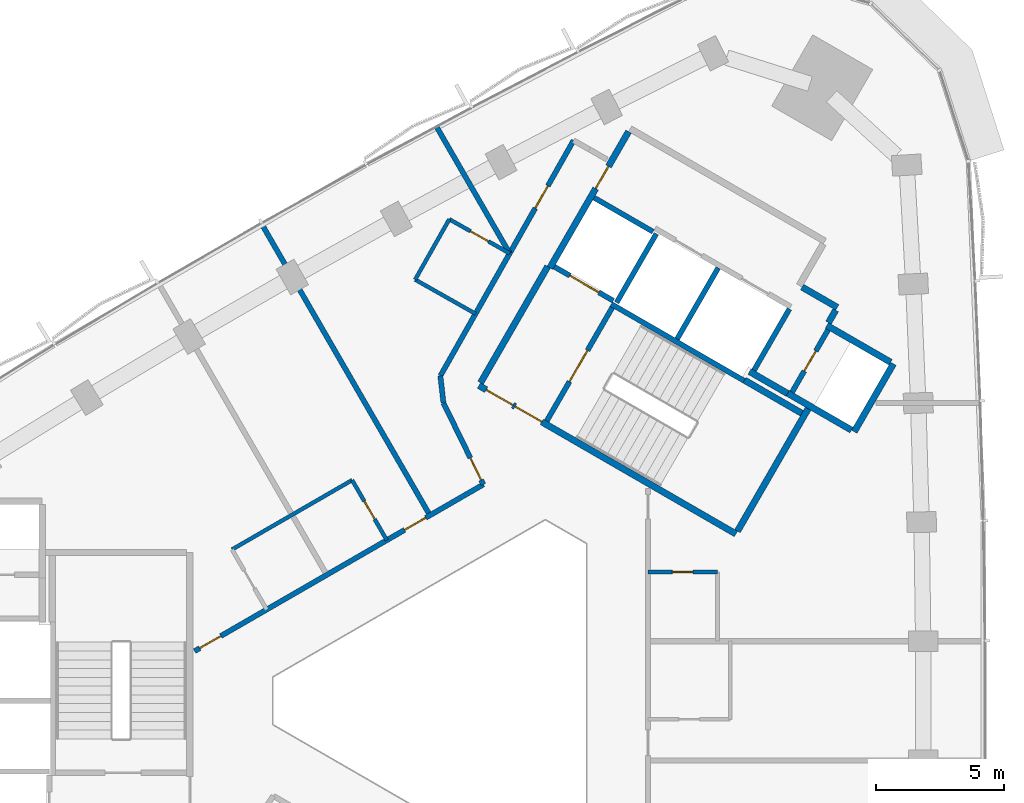
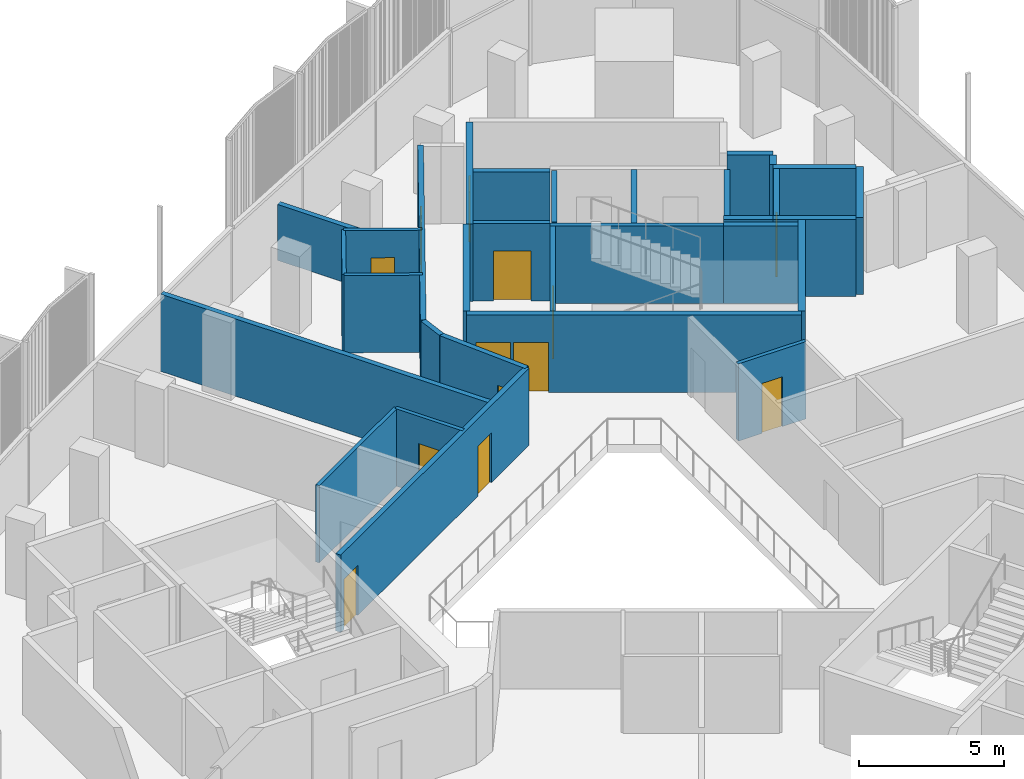
# One storey, part 9 of 13: 31 walls, 13 doors, 13 openings.
"""IFC4 building model written with IfcOpenShell, lengths in metres."""

from ifc_helpers import new_model, si_unit, direction, frame, frame_2d, origin, place, context, subcontext, project, spatial, rectangle, extrude, material, layer, layer_set, type_object, element, fill, save


model = new_model("IFC4")

# Units and contexts
model_context = context("Model", 3, precision=1e-05, world=origin(), true_north=direction((0.0, 1.0)))
body_context = subcontext(model_context, "Body", "Model", "MODEL_VIEW")
ifc_project = project(units=[si_unit("LENGTHUNIT", "METRE"), si_unit("AREAUNIT", "SQUARE_METRE"), si_unit("VOLUMEUNIT", "CUBIC_METRE"), si_unit("PLANEANGLEUNIT", "RADIAN"), si_unit("MASSUNIT", "GRAM", prefix="KILO")], contexts=[model_context])

# Site, building, storey
site_placement = place(None, origin())
site = spatial("IfcSite", under=ifc_project, at=site_placement, CompositionType="ELEMENT")
building_placement = place(site_placement, origin())
building = spatial("IfcBuilding", under=site, at=building_placement, Name="Tamra Quay Hotel Tower", CompositionType="ELEMENT")
storey_placement = place(building_placement, frame((0.0, 0.0, 186.39990234375)))
storey = spatial("IfcBuildingStorey", under=building, at=storey_placement, Name="L46", CompositionType="ELEMENT", Elevation=186.39990234375)

# Wall
ifc_material_1 = material(Name="Concrete M70", Category="concrete")
ifc_layer_1 = layer(ifc_material_1, 0.199951171875)
ifc_layer_set_1 = layer_set([ifc_layer_1], Name="Concrete M70 core wall 200")
wall_type_1 = type_object("IfcWallType", Name="Concrete M70 core wall 200", PredefinedType="SHEAR", material=ifc_layer_set_1)
wall_1_placement = place(storey_placement, frame((10.7431640625, 12.4599609375, 0.0), z_axis=(0.0, 0.0, 1.0), x_axis=(-0.866018848283, 0.500011354289, 0.0)))
element("IfcWall", 1, at=wall_1_placement, inside=storey, type_object=wall_type_1, Name="CW2", PredefinedType="SHEAR", context=body_context, shape_type="SweptSolid", body=[
    extrude(rectangle(XDim=5.973876953125, YDim=0.199951171875, at=frame_2d((2.98681640625, 0.0))), origin(), (0.0, 0.0, 1.0), 3.25),
])

# Wall, opening, door
wall_2_placement = place(storey_placement, frame((3.056640625, 10.89453125, 0.0), z_axis=(0.0, 0.0, 1.0), x_axis=(0.500027839223, 0.866009330205, 0.0)))
wall_2 = element("IfcWall", 2, at=wall_2_placement, inside=storey, type_object=wall_type_1, Name="CW2", PredefinedType="SHEAR", context=body_context, shape_type="SweptSolid", body=[
    extrude(rectangle(XDim=5.097900390625, YDim=0.199951171875, at=frame_2d((2.548828125, 0.0))), origin(), (0.0, 0.0, 1.0), 3.25),
])
opening_1_placement = place(wall_2_placement, frame((1.77392578125, 0.0, 0.0)))
opening_1 = element("IfcOpeningElement", 3, at=opening_1_placement, cuts=wall_2, Name="Opening FD2", PredefinedType="OPENING", context=body_context, shape_type="SweptSolid", body=[
    extrude(rectangle(XDim=1.39990234375, YDim=2.10009765625, at=frame_2d((0.699951171875, 1.050048828125))), frame((0.0, 0.10986328125, 0.0), z_axis=(0.0, -1.0, 0.0), x_axis=(1.0, 0.0, 0.0)), (0.0, 0.0, 1.0), 0.219970703125),
])
ifc_material_2 = material(Name="Core door FD2 1400x2100 LH")
door_type_1 = type_object("IfcDoorType", Name="Core door FD2 1400x2100 LH", OperationType="NOTDEFINED", PredefinedType="DOOR", material=ifc_material_2)
door_1_placement = place(opening_1_placement, origin())
door_1 = element("IfcDoor", 4, at=door_1_placement, inside=storey, type_object=door_type_1, Name="FD2", OperationType="SINGLE_SWING_LEFT", OverallHeight=2.10009765625, OverallWidth=1.39990234375, PredefinedType="DOOR", context=body_context, shape_type="SweptSolid", body=[
    extrude(rectangle(XDim=1.39990234375, YDim=2.10009765625, at=frame_2d((0.699951171875, 1.050048828125))), frame((0.0, 0.02490234375, 0.0), z_axis=(0.0, -1.0, 0.0), x_axis=(1.0, 0.0, 0.0)), (0.0, 0.0, 1.0), 0.050048828125),
])
fill(opening_1, door_1)

# Wall
wall_3_placement = place(storey_placement, frame((8.131591796875, 14.08447265625, 0.0), z_axis=(0.0, 0.0, 1.0), x_axis=(0.500030834389, 0.86600760081, 0.0)))
element("IfcWall", 5, at=wall_3_placement, inside=storey, type_object=wall_type_1, Name="CW2", PredefinedType="SHEAR", context=body_context, shape_type="SweptSolid", body=[
    extrude(rectangle(XDim=3.197998046875, YDim=0.199951171875, at=frame_2d((1.59912109375, 0.0))), origin(), (0.0, 0.0, 1.0), 3.25),
])

# Wall, opening, door
wall_4_placement = place(storey_placement, frame((14.0078125, 14.442138671875, 0.0), z_axis=(0.0, 0.0, 1.0), x_axis=(-0.499986818241, -0.866033014143, 0.0)))
wall_4 = element("IfcWall", 6, at=wall_4_placement, inside=storey, type_object=wall_type_1, Name="CW2", PredefinedType="SHEAR", context=body_context, shape_type="SweptSolid", body=[
    extrude(rectangle(XDim=2.7978515625, YDim=0.199951171875, at=frame_2d((1.39892578125, 0.0))), origin(), (0.0, 0.0, 1.0), 3.25),
])
opening_2_placement = place(wall_4_placement, frame((0.948974609375, 0.0, 0.0)))
opening_2 = element("IfcOpeningElement", 7, at=opening_2_placement, cuts=wall_4, Name="Opening D1", PredefinedType="OPENING", context=body_context, shape_type="SweptSolid", body=[
    extrude(rectangle(XDim=0.89990234375, YDim=2.10009765625, at=frame_2d((0.449951171875, 1.050048828125))), frame((0.0, 0.10986328125, 0.0), z_axis=(0.0, -1.0, 0.0), x_axis=(1.0, 0.0, 0.0)), (0.0, 0.0, 1.0), 0.219970703125),
])
ifc_material_3 = material(Name="Core door D1 900x2100 RH")
door_type_2 = type_object("IfcDoorType", Name="Core door D1 900x2100 RH", OperationType="NOTDEFINED", PredefinedType="DOOR", material=ifc_material_3)
door_2_placement = place(opening_2_placement, origin())
door_2 = element("IfcDoor", 8, at=door_2_placement, inside=storey, type_object=door_type_2, Name="D1", OperationType="SINGLE_SWING_RIGHT", OverallHeight=2.10009765625, OverallWidth=0.89990234375, PredefinedType="DOOR", context=body_context, shape_type="SweptSolid", body=[
    extrude(rectangle(XDim=0.89990234375, YDim=2.10009765625, at=frame_2d((0.449951171875, 1.050048828125))), frame((0.0, 0.02490234375, 0.0), z_axis=(0.0, -1.0, 0.0), x_axis=(1.0, 0.0, 0.0)), (0.0, 0.0, 1.0), 0.050048828125),
])
fill(opening_2, door_2)

# Walls
wall_5_placement = place(storey_placement, frame((12.50244140625, 15.2548828125, 0.0), z_axis=(0.0, 0.0, 1.0), x_axis=(-0.499965018551, -0.866045599391, 0.0)))
element("IfcWall", 9, at=wall_5_placement, inside=storey, type_object=wall_type_1, Name="CW2", PredefinedType="SHEAR", context=body_context, shape_type="SweptSolid", body=[
    extrude(rectangle(XDim=2.759033203125, YDim=0.199951171875, at=frame_2d((1.37939453125, 0.0))), origin(), (0.0, 0.0, 1.0), 3.25),
])
wall_6_placement = place(storey_placement, frame((7.324462890625, 18.1865234375, 0.0), z_axis=(0.0, 0.0, 1.0), x_axis=(-0.499967891604, -0.866043940782, 0.0)))
element("IfcWall", 10, at=wall_6_placement, inside=storey, type_object=wall_type_1, Name="CW2", PredefinedType="SHEAR", context=body_context, shape_type="SweptSolid", body=[
    extrude(rectangle(XDim=3.099853515625, YDim=0.199951171875, at=frame_2d((1.5498046875, 0.0))), origin(), (0.0, 0.0, 1.0), 3.25),
])

# Wall, opening, door
wall_7_placement = place(storey_placement, frame((5.646240234375, 15.575927734375, 0.0), z_axis=(0.0, 0.0, 1.0), x_axis=(-0.866018407898, 0.500012117035, 0.0)))
wall_7 = element("IfcWall", 11, at=wall_7_placement, inside=storey, type_object=wall_type_1, Name="CW2", PredefinedType="SHEAR", context=body_context, shape_type="SweptSolid", body=[
    extrude(rectangle(XDim=2.65087890625, YDim=0.199951171875, at=frame_2d((1.325439453125, 0.0))), origin(), (0.0, 0.0, 1.0), 3.25),
])
opening_3_placement = place(wall_7_placement, frame((0.65185546875, 0.0, 0.0)))
opening_3 = element("IfcOpeningElement", 12, at=opening_3_placement, cuts=wall_7, Name="Opening LD", PredefinedType="OPENING", context=body_context, shape_type="SweptSolid", body=[
    extrude(rectangle(XDim=1.300048828125, YDim=2.10009765625, at=frame_2d((0.64990234375, 1.050048828125))), frame((0.0, 0.10986328125, 0.0), z_axis=(0.0, -1.0, 0.0), x_axis=(1.0, 0.0, 0.0)), (0.0, 0.0, 1.0), 0.219970703125),
])
ifc_material_4 = material(Name="Landing door LD 1300 sliding to left")
door_type_3 = type_object("IfcDoorType", Name="Landing door LD 1300 sliding to left", OperationType="NOTDEFINED", PredefinedType="DOOR", material=ifc_material_4)
door_3_placement = place(opening_3_placement, origin())
door_3 = element("IfcDoor", 13, at=door_3_placement, inside=storey, type_object=door_type_3, Name="LD", OperationType="SLIDING_TO_LEFT", OverallHeight=2.10009765625, OverallWidth=1.300048828125, PredefinedType="DOOR", context=body_context, shape_type="SweptSolid", body=[
    extrude(rectangle(XDim=1.300048828125, YDim=2.10009765625, at=frame_2d((0.64990234375, 1.050048828125))), frame((0.0, 0.02490234375, 0.0), z_axis=(0.0, -1.0, 0.0), x_axis=(1.0, 0.0, 0.0)), (0.0, 0.0, 1.0), 0.050048828125),
])
fill(opening_3, door_3)

# Wall
wall_8_placement = place(storey_placement, frame((7.1962890625, 18.260498046875, 0.0), z_axis=(0.0, 0.0, 1.0), x_axis=(-0.866018407898, 0.500012117035, 0.0)))
element("IfcWall", 14, at=wall_8_placement, inside=storey, type_object=wall_type_1, Name="CW2", PredefinedType="SHEAR", context=body_context, shape_type="SweptSolid", body=[
    extrude(rectangle(XDim=2.65087890625, YDim=0.199951171875, at=frame_2d((1.325439453125, 0.0))), origin(), (0.0, 0.0, 1.0), 3.25),
])

# Wall, openings, doors
ifc_layer_2 = layer(ifc_material_1, 0.25)
ifc_layer_set_2 = layer_set([ifc_layer_2], Name="Concrete M70 core wall 250")
wall_type_2 = type_object("IfcWallType", Name="Concrete M70 core wall 250", PredefinedType="SHEAR", material=ifc_layer_set_2)
wall_9_placement = place(storey_placement, frame((10.419921875, 6.497802734375, 0.0), z_axis=(0.0, 0.0, 1.0), x_axis=(-0.866021906294, 0.500006057782, 0.0)))
wall_9 = element("IfcWall", 15, at=wall_9_placement, inside=storey, type_object=wall_type_2, Name="CW1", PredefinedType="SHEAR", context=body_context, shape_type="SweptSolid", body=[
    extrude(rectangle(XDim=11.550048828125, YDim=0.25, at=frame_2d((5.77490234375, 0.0))), origin(), (0.0, 0.0, 1.0), 3.25),
])
opening_4_placement = place(wall_9_placement, frame((10.02490234375, 0.0, 0.0)))
opening_4 = element("IfcOpeningElement", 16, at=opening_4_placement, cuts=wall_9, Name="Opening FD1", PredefinedType="OPENING", context=body_context, shape_type="SweptSolid", body=[
    extrude(rectangle(XDim=1.199951171875, YDim=2.10009765625, at=frame_2d((0.60009765625, 1.050048828125))), frame((0.0, 0.135009765625, 0.0), z_axis=(0.0, -1.0, 0.0), x_axis=(1.0, 0.0, 0.0)), (0.0, 0.0, 1.0), 0.27001953125),
])
opening_5_placement = place(wall_9_placement, frame((8.724853515625, 0.0, 0.0)))
opening_5 = element("IfcOpeningElement", 17, at=opening_5_placement, cuts=wall_9, Name="Opening FD1", PredefinedType="OPENING", context=body_context, shape_type="SweptSolid", body=[
    extrude(rectangle(XDim=1.199951171875, YDim=2.10009765625, at=frame_2d((0.60009765625, 1.050048828125))), frame((0.0, 0.135009765625, 0.0), z_axis=(0.0, -1.0, 0.0), x_axis=(1.0, 0.0, 0.0)), (0.0, 0.0, 1.0), 0.27001953125),
])
ifc_material_5 = material(Name="Core door FD1 1200x2100 LH")
door_type_4 = type_object("IfcDoorType", Name="Core door FD1 1200x2100 LH", OperationType="NOTDEFINED", PredefinedType="DOOR", material=ifc_material_5)
door_4_placement = place(opening_4_placement, origin())
door_4 = element("IfcDoor", 18, at=door_4_placement, inside=storey, type_object=door_type_4, Name="FD1", OperationType="SINGLE_SWING_LEFT", OverallHeight=2.10009765625, OverallWidth=1.199951171875, PredefinedType="DOOR", context=body_context, shape_type="SweptSolid", body=[
    extrude(rectangle(XDim=1.199951171875, YDim=2.10009765625, at=frame_2d((0.60009765625, 1.050048828125))), frame((0.0, 0.02490234375, 0.0), z_axis=(0.0, -1.0, 0.0), x_axis=(1.0, 0.0, 0.0)), (0.0, 0.0, 1.0), 0.050048828125),
])
fill(opening_4, door_4)
ifc_material_6 = material(Name="Core door FD1 1200x2100 RH")
door_type_5 = type_object("IfcDoorType", Name="Core door FD1 1200x2100 RH", OperationType="NOTDEFINED", PredefinedType="DOOR", material=ifc_material_6)
door_5_placement = place(opening_5_placement, origin())
door_5 = element("IfcDoor", 19, at=door_5_placement, inside=storey, type_object=door_type_5, Name="FD1", OperationType="SINGLE_SWING_RIGHT", OverallHeight=2.10009765625, OverallWidth=1.199951171875, PredefinedType="DOOR", context=body_context, shape_type="SweptSolid", body=[
    extrude(rectangle(XDim=1.199951171875, YDim=2.10009765625, at=frame_2d((0.60009765625, 1.050048828125))), frame((0.0, 0.02490234375, 0.0), z_axis=(0.0, -1.0, 0.0), x_axis=(1.0, 0.0, 0.0)), (0.0, 0.0, 1.0), 0.050048828125),
])
fill(opening_5, door_5)

# Wall, opening, door
wall_10_placement = place(storey_placement, frame((3.178955078125, 16.856201171875, 0.0), z_axis=(0.0, 0.0, 1.0), x_axis=(0.500001955336, 0.866024274868, 0.0)))
wall_10 = element("IfcWall", 20, at=wall_10_placement, inside=storey, type_object=wall_type_2, Name="CW1", PredefinedType="SHEAR", context=body_context, shape_type="SweptSolid", body=[
    extrude(rectangle(XDim=6.12451171875, YDim=0.25, at=frame_2d((3.062255859375, 0.0))), origin(), (0.0, 0.0, 1.0), 3.25),
])
opening_6_placement = place(wall_10_placement, frame((3.562744140625, 0.0, 0.0)))
opening_6 = element("IfcOpeningElement", 21, at=opening_6_placement, cuts=wall_10, Name="Opening FD3", PredefinedType="OPENING", context=body_context, shape_type="SweptSolid", body=[
    extrude(rectangle(XDim=1.0, YDim=2.10009765625, at=frame_2d((0.5, 1.050048828125))), frame((0.0, 0.135009765625, 0.0), z_axis=(0.0, -1.0, 0.0), x_axis=(1.0, 0.0, 0.0)), (0.0, 0.0, 1.0), 0.27001953125),
])
ifc_material_7 = material(Name="Core door FD3 1000x2100 LH")
door_type_6 = type_object("IfcDoorType", Name="Core door FD3 1000x2100 LH", OperationType="NOTDEFINED", PredefinedType="DOOR", material=ifc_material_7)
door_6_placement = place(opening_6_placement, origin())
door_6 = element("IfcDoor", 22, at=door_6_placement, inside=storey, type_object=door_type_6, Name="FD3", OperationType="SINGLE_SWING_LEFT", OverallHeight=2.10009765625, OverallWidth=1.0, PredefinedType="DOOR", context=body_context, shape_type="SweptSolid", body=[
    extrude(rectangle(XDim=1.0, YDim=2.10009765625, at=frame_2d((0.5, 1.050048828125))), frame((0.0, 0.02490234375, 0.0), z_axis=(0.0, -1.0, 0.0), x_axis=(1.0, 0.0, 0.0)), (0.0, 0.0, 1.0), 0.050048828125),
])
fill(opening_6, door_6)

# Walls
wall_11_placement = place(storey_placement, frame((0.47998046875, 12.38134765625, 0.0), z_axis=(0.0, 0.0, 1.0), x_axis=(0.49999885962, 0.866026062182, 0.0)))
element("IfcWall", 23, at=wall_11_placement, inside=storey, type_object=wall_type_2, Name="CW1", PredefinedType="SHEAR", context=body_context, shape_type="SweptSolid", body=[
    extrude(rectangle(XDim=5.224609375, YDim=0.25, at=frame_2d((2.6123046875, 0.0))), origin(), (0.0, 0.0, 1.0), 3.25),
])
wall_12_placement = place(storey_placement, frame((13.237548828125, 11.3779296875, 0.0), z_axis=(0.0, 0.0, 1.0), x_axis=(-0.500008851346, -0.866020293397, 0.0)))
element("IfcWall", 24, at=wall_12_placement, inside=storey, type_object=wall_type_2, Name="CW1", PredefinedType="SHEAR", context=body_context, shape_type="SweptSolid", body=[
    extrude(rectangle(XDim=5.509765625, YDim=0.25, at=frame_2d((2.7548828125, 0.0))), origin(), (0.0, 0.0, 1.0), 3.25),
])
wall_13_placement = place(storey_placement, frame((16.552001953125, 13.118896484375, 0.0), z_axis=(0.0, 0.0, 1.0), x_axis=(-0.499978833458, -0.866037623948, 0.0)))
element("IfcWall", 25, at=wall_13_placement, inside=storey, type_object=wall_type_2, Name="CW1", PredefinedType="SHEAR", context=body_context, shape_type="SweptSolid", body=[
    extrude(rectangle(XDim=3.050048828125, YDim=0.25, at=frame_2d((1.52490234375, 0.0))), origin(), (0.0, 0.0, 1.0), 3.25),
])
wall_14_placement = place(storey_placement, frame((14.91845703125, 10.540283203125, 0.0), z_axis=(0.0, 0.0, 1.0), x_axis=(-0.866063538972, 0.499933942099, 0.0)))
element("IfcWall", 26, at=wall_14_placement, inside=storey, type_object=wall_type_2, Name="CW1", PredefinedType="SHEAR", context=body_context, shape_type="SweptSolid", body=[
    extrude(rectangle(XDim=2.86474609375, YDim=0.25, at=frame_2d((1.432373046875, 0.0))), origin(), (0.0, 0.0, 1.0), 3.25),
])
wall_15_placement = place(storey_placement, frame((13.962646484375, 14.61376953125, 0.0), z_axis=(0.0, 0.0, 1.0), x_axis=(0.866042235819, -0.499970844928, 0.0)))
element("IfcWall", 27, at=wall_15_placement, inside=storey, type_object=wall_type_2, Name="CW1", PredefinedType="SHEAR", context=body_context, shape_type="SweptSolid", body=[
    extrude(rectangle(XDim=2.864501953125, YDim=0.25, at=frame_2d((1.43212890625, 0.0))), origin(), (0.0, 0.0, 1.0), 3.25),
])
wall_16_placement = place(storey_placement, frame((10.756591796875, 12.481201171875, 0.0), z_axis=(0.0, 0.0, 1.0), x_axis=(0.866022940537, -0.500004266446, 0.0)))
element("IfcWall", 28, at=wall_16_placement, inside=storey, type_object=wall_type_2, Name="CW1", PredefinedType="SHEAR", context=body_context, shape_type="SweptSolid", body=[
    extrude(rectangle(XDim=2.57470703125, YDim=0.25, at=frame_2d((1.287353515625, 0.0))), origin(), (0.0, 0.0, 1.0), 3.25),
])
wall_17_placement = place(storey_placement, frame((12.4326171875, 11.9638671875, 0.0), z_axis=(0.0, 0.0, 1.0), x_axis=(-0.866038183914, 0.499977863513, 0.0)))
element("IfcWall", 29, at=wall_17_placement, inside=storey, type_object=wall_type_2, Name="CW1", PredefinedType="SHEAR", context=body_context, shape_type="SweptSolid", body=[
    extrude(rectangle(XDim=1.7099609375, YDim=0.25, at=frame_2d((0.85498046875, 0.0))), origin(), (0.0, 0.0, 1.0), 3.25),
])
wall_18_placement = place(storey_placement, frame((12.995361328125, 16.107666015625, 0.0), z_axis=(0.0, 0.0, 1.0), x_axis=(0.866044474677, -0.49996696679, 0.0)))
element("IfcWall", 30, at=wall_18_placement, inside=storey, type_object=wall_type_2, Name="CW1", PredefinedType="SHEAR", context=body_context, shape_type="SweptSolid", body=[
    extrude(rectangle(XDim=1.58447265625, YDim=0.25, at=frame_2d((0.792236328125, 0.0))), origin(), (0.0, 0.0, 1.0), 3.25),
])
wall_19_placement = place(storey_placement, frame((14.304931640625, 15.206787109375, 0.0), z_axis=(0.0, 0.0, 1.0), x_axis=(-0.499848422343, -0.866112899501, 0.0)))
element("IfcWall", 31, at=wall_19_placement, inside=storey, type_object=wall_type_2, Name="CW1", PredefinedType="SHEAR", context=body_context, shape_type="SweptSolid", body=[
    extrude(rectangle(XDim=0.559326171875, YDim=0.25, at=frame_2d((0.27978515625, 0.0))), origin(), (0.0, 0.0, 1.0), 3.25),
])

# Wall, openings, doors
ifc_material_8 = material(Name="Partition corridor wall")
ifc_layer_3 = layer(ifc_material_8, 0.199951171875)
ifc_layer_set_3 = layer_set([ifc_layer_3], Name="Partition corridor wall")
wall_type_3 = type_object("IfcWallType", Name="Partition corridor wall", PredefinedType="PARTITIONING", material=ifc_layer_set_3)
wall_20_placement = place(storey_placement, frame((-10.65234375, 1.93408203125, 0.0), z_axis=(0.0, 0.0, 1.0), x_axis=(0.866066882415, 0.499928150021, 0.0)))
wall_20 = element("IfcWall", 32, at=wall_20_placement, inside=storey, type_object=wall_type_3, Name="W-C", PredefinedType="PARTITIONING", context=body_context, shape_type="SweptSolid", body=[
    extrude(rectangle(XDim=12.97998046875, YDim=0.199951171875, at=frame_2d((6.489990234375, 0.0))), origin(), (0.0, 0.0, 1.0), 3.25),
])
opening_7_placement = place(wall_20_placement, frame((9.438720703125, 0.0, 0.0)))
opening_7 = element("IfcOpeningElement", 33, at=opening_7_placement, cuts=wall_20, Name="Opening L46-D014", PredefinedType="OPENING", context=body_context, shape_type="SweptSolid", body=[
    extrude(rectangle(XDim=0.949951171875, YDim=2.10009765625, at=frame_2d((0.47509765625, 1.050048828125))), frame((0.0, 0.10986328125, 0.0), z_axis=(0.0, -1.0, 0.0), x_axis=(1.0, 0.0, 0.0)), (0.0, 0.0, 1.0), 0.219970703125),
])
opening_8_placement = place(wall_20_placement, frame((0.228759765625, 0.0, 0.0)))
opening_8 = element("IfcOpeningElement", 34, at=opening_8_placement, cuts=wall_20, Name="Opening L46-D016", PredefinedType="OPENING", context=body_context, shape_type="SweptSolid", body=[
    extrude(rectangle(XDim=0.949951171875, YDim=2.10009765625, at=frame_2d((0.47509765625, 1.050048828125))), frame((0.0, 0.10986328125, 0.0), z_axis=(0.0, -1.0, 0.0), x_axis=(1.0, 0.0, 0.0)), (0.0, 0.0, 1.0), 0.219970703125),
])
ifc_material_9 = material(Name="Door guest room 950x2100")
door_type_7 = type_object("IfcDoorType", Name="Door guest room 950x2100", OperationType="NOTDEFINED", PredefinedType="DOOR", material=ifc_material_9)
door_7_placement = place(opening_7_placement, origin())
door_7 = element("IfcDoor", 35, at=door_7_placement, inside=storey, type_object=door_type_7, Name="L46-D014", OperationType="SINGLE_SWING_LEFT", OverallHeight=2.10009765625, OverallWidth=0.949951171875, PredefinedType="DOOR", context=body_context, shape_type="SweptSolid", body=[
    extrude(rectangle(XDim=0.949951171875, YDim=2.10009765625, at=frame_2d((0.47509765625, 1.050048828125))), frame((0.0, 0.02490234375, 0.0), z_axis=(0.0, -1.0, 0.0), x_axis=(1.0, 0.0, 0.0)), (0.0, 0.0, 1.0), 0.050048828125),
])
fill(opening_7, door_7)
door_8_placement = place(opening_8_placement, origin())
door_8 = element("IfcDoor", 36, at=door_8_placement, inside=storey, type_object=door_type_7, Name="L46-D016", OperationType="SINGLE_SWING_LEFT", OverallHeight=2.10009765625, OverallWidth=0.949951171875, PredefinedType="DOOR", context=body_context, shape_type="SweptSolid", body=[
    extrude(rectangle(XDim=0.949951171875, YDim=2.10009765625, at=frame_2d((0.47509765625, 1.050048828125))), frame((0.0, 0.02490234375, 0.0), z_axis=(0.0, -1.0, 0.0), x_axis=(1.0, 0.0, 0.0)), (0.0, 0.0, 1.0), 0.050048828125),
])
fill(opening_8, door_8)

# Wall, opening, door
wall_21_placement = place(storey_placement, frame((-1.0849609375, 12.64990234375, 0.0), z_axis=(0.0, 0.0, 1.0), x_axis=(0.49243456751, 0.870349468157, 0.0)))
wall_21 = element("IfcWall", 37, at=wall_21_placement, inside=storey, type_object=wall_type_3, Name="W-C", PredefinedType="PARTITIONING", context=body_context, shape_type="SweptSolid", body=[
    extrude(rectangle(XDim=10.531494140625, YDim=0.199951171875, at=frame_2d((5.265625, 0.0))), origin(), (0.0, 0.0, 1.0), 3.25),
])
opening_9_placement = place(wall_21_placement, frame((7.4990234375, 0.0, 0.0)))
opening_9 = element("IfcOpeningElement", 38, at=opening_9_placement, cuts=wall_21, Name="Opening L46-D011", PredefinedType="OPENING", context=body_context, shape_type="SweptSolid", body=[
    extrude(rectangle(XDim=1.0, YDim=2.10009765625, at=frame_2d((0.5, 1.050048828125))), frame((0.0, 0.10986328125, 0.0), z_axis=(0.0, -1.0, 0.0), x_axis=(1.0, 0.0, 0.0)), (0.0, 0.0, 1.0), 0.219970703125),
])
ifc_material_10 = material(Name="Door guest room 1000x2100")
door_type_8 = type_object("IfcDoorType", Name="Door guest room 1000x2100", OperationType="NOTDEFINED", PredefinedType="DOOR", material=ifc_material_10)
door_9_placement = place(opening_9_placement, frame((1.0, 0.0, 0.0), z_axis=(0.0, 0.0, 1.0), x_axis=(-1.0, 0.0, 0.0)))
door_9 = element("IfcDoor", 39, at=door_9_placement, inside=storey, type_object=door_type_8, Name="L46-D011", OperationType="SINGLE_SWING_LEFT", OverallHeight=2.10009765625, OverallWidth=1.0, PredefinedType="DOOR", context=body_context, shape_type="SweptSolid", body=[
    extrude(rectangle(XDim=1.0, YDim=2.10009765625, at=frame_2d((0.5, 1.050048828125))), frame((0.0, 0.02490234375, 0.0), z_axis=(0.0, -1.0, 0.0), x_axis=(1.0, 0.0, 0.0)), (0.0, 0.0, 1.0), 0.050048828125),
])
fill(opening_9, door_9)

# Wall
wall_22_placement = place(storey_placement, frame((-1.0849609375, 12.64990234375, 0.0), z_axis=(0.0, 0.0, 1.0), x_axis=(0.113812454263, -0.993502252264, 0.0)))
element("IfcWall", 40, at=wall_22_placement, inside=storey, type_object=wall_type_3, Name="W-C", PredefinedType="PARTITIONING", context=body_context, shape_type="SweptSolid", body=[
    extrude(rectangle(XDim=1.061767578125, YDim=0.199951171875, at=frame_2d((0.53076171875, 0.0))), origin(), (0.0, 0.0, 1.0), 3.25),
])

# Wall, opening, door
wall_23_placement = place(storey_placement, frame((-0.964111328125, 11.594970703125, 0.0), z_axis=(0.0, 0.0, 1.0), x_axis=(0.439787800928, -0.898101714816, 0.0)))
wall_23 = element("IfcWall", 41, at=wall_23_placement, inside=storey, type_object=wall_type_3, Name="W-C", PredefinedType="PARTITIONING", context=body_context, shape_type="SweptSolid", body=[
    extrude(rectangle(XDim=3.53173828125, YDim=0.199951171875, at=frame_2d((1.765869140625, 0.0))), origin(), (0.0, 0.0, 1.0), 3.25),
])
opening_10_placement = place(wall_23_placement, frame((2.3818359375, 0.0, 0.0)))
opening_10 = element("IfcOpeningElement", 42, at=opening_10_placement, cuts=wall_23, Name="Opening L46-D012", PredefinedType="OPENING", context=body_context, shape_type="SweptSolid", body=[
    extrude(rectangle(XDim=0.949951171875, YDim=2.10009765625, at=frame_2d((0.47509765625, 1.050048828125))), frame((0.0, 0.10986328125, 0.0), z_axis=(0.0, -1.0, 0.0), x_axis=(1.0, 0.0, 0.0)), (0.0, 0.0, 1.0), 0.219970703125),
])
door_10_placement = place(opening_10_placement, frame((0.949951171875, 0.0, 0.0), z_axis=(0.0, 0.0, 1.0), x_axis=(-1.0, 0.0, 0.0)))
door_10 = element("IfcDoor", 43, at=door_10_placement, inside=storey, type_object=door_type_7, Name="L46-D012", OperationType="SINGLE_SWING_LEFT", OverallHeight=2.10009765625, OverallWidth=0.949951171875, PredefinedType="DOOR", context=body_context, shape_type="SweptSolid", body=[
    extrude(rectangle(XDim=0.949951171875, YDim=2.10009765625, at=frame_2d((0.47509765625, 1.050048828125))), frame((0.0, 0.02490234375, 0.0), z_axis=(0.0, -1.0, 0.0), x_axis=(1.0, 0.0, 0.0)), (0.0, 0.0, 1.0), 0.050048828125),
])
fill(opening_10, door_10)

# Wall
ifc_material_11 = material(Name="Partition en-suite wall")
ifc_layer_4 = layer(ifc_material_11, 0.14990234375)
ifc_layer_set_4 = layer_set([ifc_layer_4], Name="Partition en-suite wall")
wall_type_4 = type_object("IfcWallType", Name="Partition en-suite wall", PredefinedType="PARTITIONING", material=ifc_layer_set_4)
wall_24_placement = place(storey_placement, frame((-9.194091796875, 5.89208984375, 0.0), z_axis=(0.0, 0.0, 1.0), x_axis=(0.8659934935, 0.500055266161, 0.0)))
element("IfcWall", 44, at=wall_24_placement, inside=storey, type_object=wall_type_4, Name="W-E", PredefinedType="PARTITIONING", context=body_context, shape_type="SweptSolid", body=[
    extrude(rectangle(XDim=5.3974609375, YDim=0.14990234375, at=frame_2d((2.69873046875, 0.0))), origin(), (0.0, 0.0, 1.0), 3.25),
])

# Wall, opening, door
wall_25_placement = place(storey_placement, frame((-4.52001953125, 8.591064453125, 0.0), z_axis=(0.0, 0.0, 1.0), x_axis=(0.500048589285, -0.86599734893, 0.0)))
wall_25 = element("IfcWall", 45, at=wall_25_placement, inside=storey, type_object=wall_type_4, Name="W-E", PredefinedType="PARTITIONING", context=body_context, shape_type="SweptSolid", body=[
    extrude(rectangle(XDim=2.699951171875, YDim=0.14990234375, at=frame_2d((1.35009765625, 0.0))), origin(), (0.0, 0.0, 1.0), 3.25),
])
opening_11_placement = place(wall_25_placement, frame((0.94970703125, 0.0, 0.0)))
opening_11 = element("IfcOpeningElement", 46, at=opening_11_placement, cuts=wall_25, Name="Opening L46-D015", PredefinedType="OPENING", context=body_context, shape_type="SweptSolid", body=[
    extrude(rectangle(XDim=0.800048828125, YDim=2.10009765625, at=frame_2d((0.39990234375, 1.050048828125))), frame((0.0, 0.0849609375, 0.0), z_axis=(0.0, -1.0, 0.0), x_axis=(1.0, 0.0, 0.0)), (0.0, 0.0, 1.0), 0.169921875),
])
ifc_material_12 = material(Name="Door en-suite 800x2100")
door_type_9 = type_object("IfcDoorType", Name="Door en-suite 800x2100", OperationType="NOTDEFINED", PredefinedType="DOOR", material=ifc_material_12)
door_11_placement = place(opening_11_placement, frame((0.800048828125, 0.0, 0.0), z_axis=(0.0, 0.0, 1.0), x_axis=(-1.0, 0.0, 0.0)))
door_11 = element("IfcDoor", 47, at=door_11_placement, inside=storey, type_object=door_type_9, Name="L46-D015", OperationType="SINGLE_SWING_LEFT", OverallHeight=2.10009765625, OverallWidth=0.800048828125, PredefinedType="DOOR", context=body_context, shape_type="SweptSolid", body=[
    extrude(rectangle(XDim=0.800048828125, YDim=2.10009765625, at=frame_2d((0.39990234375, 1.050048828125))), frame((0.0, 0.02490234375, 0.0), z_axis=(0.0, -1.0, 0.0), x_axis=(1.0, 0.0, 0.0)), (0.0, 0.0, 1.0), 0.050048828125),
])
fill(opening_11, door_11)

# Walls
wall_26_placement = place(storey_placement, frame((-2.06689453125, 16.39794921875, 0.0), z_axis=(0.0, 0.0, 1.0), x_axis=(0.492483230042, 0.870321933613, 0.0)))
element("IfcWall", 48, at=wall_26_placement, inside=storey, type_object=wall_type_4, Name="W-E", PredefinedType="PARTITIONING", context=body_context, shape_type="SweptSolid", body=[
    extrude(rectangle(XDim=2.7001953125, YDim=0.14990234375, at=frame_2d((1.35009765625, 0.0))), origin(), (0.0, 0.0, 1.0), 3.25),
])
wall_27_placement = place(storey_placement, frame((-2.06689453125, 16.39794921875, 0.0), z_axis=(0.0, 0.0, 1.0), x_axis=(0.870300002118, -0.492521985614, 0.0)))
element("IfcWall", 49, at=wall_27_placement, inside=storey, type_object=wall_type_4, Name="W-E", PredefinedType="PARTITIONING", context=body_context, shape_type="SweptSolid", body=[
    extrude(rectangle(XDim=2.699951171875, YDim=0.14990234375, at=frame_2d((1.35009765625, 0.0))), origin(), (0.0, 0.0, 1.0), 3.25),
])

# Wall, opening, door
wall_28_placement = place(storey_placement, frame((-0.737060546875, 18.748046875, 0.0), z_axis=(0.0, 0.0, 1.0), x_axis=(0.870283179633, -0.492551710227, 0.0)))
wall_28 = element("IfcWall", 50, at=wall_28_placement, inside=storey, type_object=wall_type_4, Name="W-E", PredefinedType="PARTITIONING", context=body_context, shape_type="SweptSolid", body=[
    extrude(rectangle(XDim=2.700439453125, YDim=0.14990234375, at=frame_2d((1.35009765625, 0.0))), origin(), (0.0, 0.0, 1.0), 3.25),
])
opening_12_placement = place(wall_28_placement, frame((0.9501953125, 0.0, 0.0)))
opening_12 = element("IfcOpeningElement", 51, at=opening_12_placement, cuts=wall_28, Name="Opening L46-D013", PredefinedType="OPENING", context=body_context, shape_type="SweptSolid", body=[
    extrude(rectangle(XDim=0.800048828125, YDim=2.10009765625, at=frame_2d((0.39990234375, 1.050048828125))), frame((0.0, 0.0849609375, 0.0), z_axis=(0.0, -1.0, 0.0), x_axis=(1.0, 0.0, 0.0)), (0.0, 0.0, 1.0), 0.169921875),
])
door_12_placement = place(opening_12_placement, frame((0.800048828125, 0.0, 0.0), z_axis=(0.0, 0.0, 1.0), x_axis=(-1.0, 0.0, 0.0)))
door_12 = element("IfcDoor", 52, at=door_12_placement, inside=storey, type_object=door_type_9, Name="L46-D013", OperationType="SINGLE_SWING_LEFT", OverallHeight=2.10009765625, OverallWidth=0.800048828125, PredefinedType="DOOR", context=body_context, shape_type="SweptSolid", body=[
    extrude(rectangle(XDim=0.800048828125, YDim=2.10009765625, at=frame_2d((0.39990234375, 1.050048828125))), frame((0.0, 0.02490234375, 0.0), z_axis=(0.0, -1.0, 0.0), x_axis=(1.0, 0.0, 0.0)), (0.0, 0.0, 1.0), 0.050048828125),
])
fill(opening_12, door_12)

wall_29_placement = place(storey_placement, frame((7.0, 5.01904296875, 0.0), z_axis=(0.0, 0.0, 1.0), x_axis=(1.0, 0.0, 0.0)))
wall_29 = element("IfcWall", 53, at=wall_29_placement, inside=storey, type_object=wall_type_4, Name="W-E", PredefinedType="PARTITIONING", context=body_context, shape_type="SweptSolid", body=[
    extrude(rectangle(XDim=2.699951171875, YDim=0.14990234375, at=frame_2d((1.35009765625, 0.0))), origin(), (0.0, 0.0, 1.0), 3.25),
])
opening_13_placement = place(wall_29_placement, frame((0.949951171875, 0.0, 0.0)))
opening_13 = element("IfcOpeningElement", 54, at=opening_13_placement, cuts=wall_29, Name="Opening L46-D006", PredefinedType="OPENING", context=body_context, shape_type="SweptSolid", body=[
    extrude(rectangle(XDim=0.800048828125, YDim=2.10009765625, at=frame_2d((0.39990234375, 1.050048828125))), frame((0.0, 0.0849609375, 0.0), z_axis=(0.0, -1.0, 0.0), x_axis=(1.0, 0.0, 0.0)), (0.0, 0.0, 1.0), 0.169921875),
])
door_13_placement = place(opening_13_placement, origin())
door_13 = element("IfcDoor", 55, at=door_13_placement, inside=storey, type_object=door_type_9, Name="L46-D006", OperationType="SINGLE_SWING_LEFT", OverallHeight=2.10009765625, OverallWidth=0.800048828125, PredefinedType="DOOR", context=body_context, shape_type="SweptSolid", body=[
    extrude(rectangle(XDim=0.800048828125, YDim=2.10009765625, at=frame_2d((0.39990234375, 1.050048828125))), frame((0.0, 0.02490234375, 0.0), z_axis=(0.0, -1.0, 0.0), x_axis=(1.0, 0.0, 0.0)), (0.0, 0.0, 1.0), 0.050048828125),
])
fill(opening_13, door_13)

# Walls
ifc_material_13 = material(Name="Partition party wall")
ifc_layer_5 = layer(ifc_material_13, 0.199951171875)
ifc_layer_set_5 = layer_set([ifc_layer_5], Name="Partition party wall")
wall_type_5 = type_object("IfcWallType", Name="Partition party wall", PredefinedType="PARTITIONING", material=ifc_layer_set_5)
wall_30_placement = place(storey_placement, frame((-8.051513671875, 18.58203125, 0.0), z_axis=(0.0, 0.0, 1.0), x_axis=(0.500046266189, -0.86599869034, 0.0)))
element("IfcWall", 56, at=wall_30_placement, inside=storey, type_object=wall_type_5, Name="W-P", PredefinedType="PARTITIONING", context=body_context, shape_type="SweptSolid", body=[
    extrude(rectangle(XDim=13.117919921875, YDim=0.199951171875, at=frame_2d((6.55908203125, 0.0))), origin(), (0.0, 0.0, 1.0), 3.25),
])
wall_31_placement = place(storey_placement, frame((-1.231689453125, 22.34521484375, 0.0), z_axis=(0.0, 0.0, 1.0), x_axis=(0.499942901263, -0.866058367246, 0.0)))
element("IfcWall", 57, at=wall_31_placement, inside=storey, type_object=wall_type_5, Name="W-P", PredefinedType="PARTITIONING", context=body_context, shape_type="SweptSolid", body=[
    extrude(rectangle(XDim=5.688232421875, YDim=0.199951171875, at=frame_2d((2.84423828125, 0.0))), origin(), (0.0, 0.0, 1.0), 2.35009765625),
])

save(model, "model.ifc")
